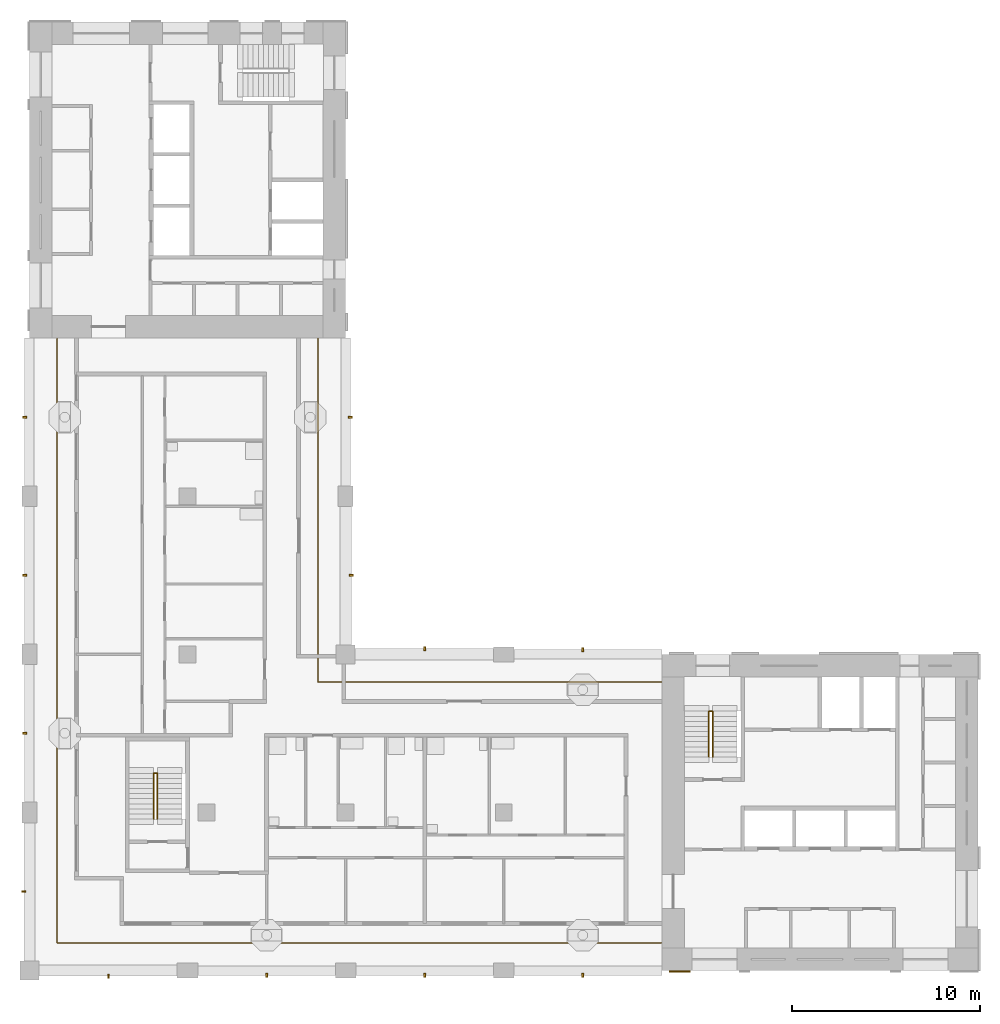
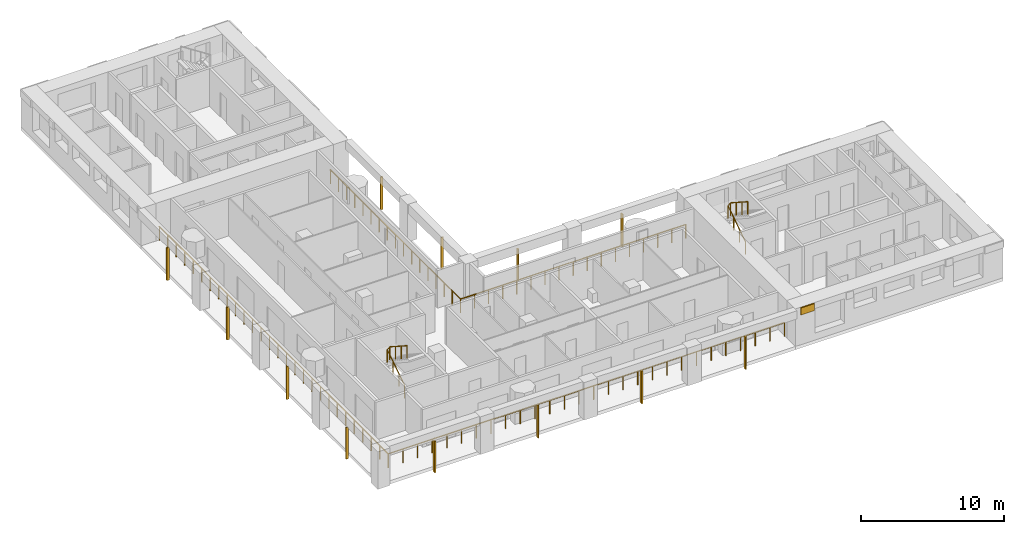
# One storey, part 8 of 12: 13 shading devices, 4 railings.
"""IFC4 building model written with IfcOpenShell, lengths in metres."""

from ifc_helpers import new_model, si_unit, direction, frame, origin, origin_2d, place, context, subcontext, project, spatial, rectangle, circle, extrude, material, layer, layer_set, material_profile, profile_set, type_object, element, save


model = new_model("IFC4")

# Units and contexts
model_context = context("Model", 3, precision=1e-05, world=origin(), true_north=direction((0.0, 1.0)))
body_context = subcontext(model_context, "Body", "Model", "MODEL_VIEW")
ifc_project = project(units=[si_unit("LENGTHUNIT", "METRE"), si_unit("AREAUNIT", "SQUARE_METRE"), si_unit("VOLUMEUNIT", "CUBIC_METRE"), si_unit("PLANEANGLEUNIT", "RADIAN"), si_unit("MASSUNIT", "GRAM", prefix="KILO")], contexts=[model_context])

# Site, building, storey
site_placement = place(None, origin())
site = spatial("IfcSite", under=ifc_project, at=site_placement, CompositionType="ELEMENT")
building_placement = place(site_placement, origin())
building = spatial("IfcBuilding", under=site, at=building_placement, Name="Vermilion Gate Residences", CompositionType="ELEMENT")
storey_placement = place(building_placement, frame((0.0, 0.0, 242.199951171875)))
storey = spatial("IfcBuildingStorey", under=building, at=storey_placement, Name="L63", CompositionType="ELEMENT", Elevation=242.199951171875)

# Railings
ifc_material_1 = material(Name="Stainless steel and toughened glass", Category="steel")
railing_type_1 = type_object("IfcRailingType", Name="LOGGIA GUARD STEEL AND GLASS 1200", PredefinedType="GUARDRAIL", material=ifc_material_1)
railing_1_placement = place(storey_placement, frame((41.97802734375, 23.72509765625, 0.0)))
element("IfcRailing", 1, at=railing_1_placement, inside=storey, type_object=railing_type_1, Name="Loggia guard", PredefinedType="GUARDRAIL", context=body_context, shape_type="SweptSolid", body=[
    extrude(circle(Radius=0.030029296875, at=origin_2d()), frame((0.0, 0.0, 1.169921875), z_axis=(-1.0, 0.0, 0.0), x_axis=(0.0, -1.0, 0.0)), (0.0, 0.0, 1.0), 18.2529296875),
    extrude(circle(Radius=0.030029296875, at=origin_2d()), frame((-18.2529296875, 0.0, 1.169921875), z_axis=(0.0, 1.0, 0.0), x_axis=(-1.0, 0.0, 0.0)), (0.0, 0.0, 1.0), 18.2529296875),
    extrude(circle(Radius=0.02490234375, at=origin_2d()), origin(), (0.0, 0.0, 1.0), 1.139892578125),
    extrude(circle(Radius=0.02490234375, at=origin_2d()), frame((-1.140869140625, 0.0, 0.0)), (0.0, 0.0, 1.0), 1.139892578125),
    extrude(circle(Radius=0.02490234375, at=origin_2d()), frame((-2.28173828125, 0.0, 0.0)), (0.0, 0.0, 1.0), 1.139892578125),
    extrude(circle(Radius=0.02490234375, at=origin_2d()), frame((-3.42236328125, 0.0, 0.0)), (0.0, 0.0, 1.0), 1.139892578125),
    extrude(circle(Radius=0.02490234375, at=origin_2d()), frame((-4.563232421875, 0.0, 0.0)), (0.0, 0.0, 1.0), 1.139892578125),
    extrude(circle(Radius=0.02490234375, at=origin_2d()), frame((-5.7041015625, 0.0, 0.0)), (0.0, 0.0, 1.0), 1.139892578125),
    extrude(circle(Radius=0.02490234375, at=origin_2d()), frame((-6.8447265625, 0.0, 0.0)), (0.0, 0.0, 1.0), 1.139892578125),
    extrude(circle(Radius=0.02490234375, at=origin_2d()), frame((-7.985595703125, 0.0, 0.0)), (0.0, 0.0, 1.0), 1.139892578125),
    extrude(circle(Radius=0.02490234375, at=origin_2d()), frame((-9.12646484375, 0.0, 0.0)), (0.0, 0.0, 1.0), 1.139892578125),
    extrude(circle(Radius=0.02490234375, at=origin_2d()), frame((-10.267333984375, 0.0, 0.0)), (0.0, 0.0, 1.0), 1.139892578125),
    extrude(circle(Radius=0.02490234375, at=origin_2d()), frame((-11.408203125, 0.0, 0.0)), (0.0, 0.0, 1.0), 1.139892578125),
    extrude(circle(Radius=0.02490234375, at=origin_2d()), frame((-12.548828125, 0.0, 0.0)), (0.0, 0.0, 1.0), 1.139892578125),
    extrude(circle(Radius=0.02490234375, at=origin_2d()), frame((-13.689697265625, 0.0, 0.0)), (0.0, 0.0, 1.0), 1.139892578125),
    extrude(circle(Radius=0.02490234375, at=origin_2d()), frame((-14.83056640625, 0.0, 0.0)), (0.0, 0.0, 1.0), 1.139892578125),
    extrude(circle(Radius=0.02490234375, at=origin_2d()), frame((-15.97119140625, 0.0, 0.0)), (0.0, 0.0, 1.0), 1.139892578125),
    extrude(circle(Radius=0.02490234375, at=origin_2d()), frame((-17.112060546875, 0.0, 0.0)), (0.0, 0.0, 1.0), 1.139892578125),
    extrude(circle(Radius=0.02490234375, at=origin_2d()), frame((-18.2529296875, 0.0, 0.0)), (0.0, 0.0, 1.0), 1.139892578125),
    extrude(circle(Radius=0.02490234375, at=origin_2d()), frame((-18.2529296875, 1.140869140625, 0.0)), (0.0, 0.0, 1.0), 1.139892578125),
    extrude(circle(Radius=0.02490234375, at=origin_2d()), frame((-18.2529296875, 2.28173828125, 0.0)), (0.0, 0.0, 1.0), 1.139892578125),
    extrude(circle(Radius=0.02490234375, at=origin_2d()), frame((-18.2529296875, 3.42236328125, 0.0)), (0.0, 0.0, 1.0), 1.139892578125),
    extrude(circle(Radius=0.02490234375, at=origin_2d()), frame((-18.2529296875, 4.563232421875, 0.0)), (0.0, 0.0, 1.0), 1.139892578125),
    extrude(circle(Radius=0.02490234375, at=origin_2d()), frame((-18.2529296875, 5.7041015625, 0.0)), (0.0, 0.0, 1.0), 1.139892578125),
    extrude(circle(Radius=0.02490234375, at=origin_2d()), frame((-18.2529296875, 6.8447265625, 0.0)), (0.0, 0.0, 1.0), 1.139892578125),
    extrude(circle(Radius=0.02490234375, at=origin_2d()), frame((-18.2529296875, 7.985595703125, 0.0)), (0.0, 0.0, 1.0), 1.139892578125),
    extrude(circle(Radius=0.02490234375, at=origin_2d()), frame((-18.2529296875, 9.12646484375, 0.0)), (0.0, 0.0, 1.0), 1.139892578125),
    extrude(circle(Radius=0.02490234375, at=origin_2d()), frame((-18.2529296875, 10.267333984375, 0.0)), (0.0, 0.0, 1.0), 1.139892578125),
    extrude(circle(Radius=0.02490234375, at=origin_2d()), frame((-18.2529296875, 11.408203125, 0.0)), (0.0, 0.0, 1.0), 1.139892578125),
    extrude(circle(Radius=0.02490234375, at=origin_2d()), frame((-18.2529296875, 12.548828125, 0.0)), (0.0, 0.0, 1.0), 1.139892578125),
    extrude(circle(Radius=0.02490234375, at=origin_2d()), frame((-18.2529296875, 13.689697265625, 0.0)), (0.0, 0.0, 1.0), 1.139892578125),
    extrude(circle(Radius=0.02490234375, at=origin_2d()), frame((-18.2529296875, 14.83056640625, 0.0)), (0.0, 0.0, 1.0), 1.139892578125),
    extrude(circle(Radius=0.02490234375, at=origin_2d()), frame((-18.2529296875, 15.97119140625, 0.0)), (0.0, 0.0, 1.0), 1.139892578125),
    extrude(circle(Radius=0.02490234375, at=origin_2d()), frame((-18.2529296875, 17.112060546875, 0.0)), (0.0, 0.0, 1.0), 1.139892578125),
    extrude(circle(Radius=0.02490234375, at=origin_2d()), frame((-18.2529296875, 18.2529296875, 0.0)), (0.0, 0.0, 1.0), 1.139892578125),
])
railing_2_placement = place(storey_placement, frame((9.875, 41.97802734375, 0.0)))
element("IfcRailing", 2, at=railing_2_placement, inside=storey, type_object=railing_type_1, Name="Loggia guard", PredefinedType="GUARDRAIL", context=body_context, shape_type="SweptSolid", body=[
    extrude(circle(Radius=0.030029296875, at=origin_2d()), frame((0.0, 0.0, 1.169921875), z_axis=(0.0, -1.0, 0.0), x_axis=(1.0, 0.0, 0.0)), (0.0, 0.0, 1.0), 32.10302734375),
    extrude(circle(Radius=0.030029296875, at=origin_2d()), frame((0.0, -32.10302734375, 1.169921875), z_axis=(1.0, 0.0, 0.0), x_axis=(0.0, 1.0, 0.0)), (0.0, 0.0, 1.0), 32.10302734375),
    extrude(circle(Radius=0.02490234375, at=origin_2d()), origin(), (0.0, 0.0, 1.0), 1.139892578125),
    extrude(circle(Radius=0.02490234375, at=origin_2d()), frame((0.0, -1.18896484375, 0.0)), (0.0, 0.0, 1.0), 1.139892578125),
    extrude(circle(Radius=0.02490234375, at=origin_2d()), frame((0.0, -2.3779296875, 0.0)), (0.0, 0.0, 1.0), 1.139892578125),
    extrude(circle(Radius=0.02490234375, at=origin_2d()), frame((0.0, -3.56689453125, 0.0)), (0.0, 0.0, 1.0), 1.139892578125),
    extrude(circle(Radius=0.02490234375, at=origin_2d()), frame((0.0, -4.756103515625, 0.0)), (0.0, 0.0, 1.0), 1.139892578125),
    extrude(circle(Radius=0.02490234375, at=origin_2d()), frame((0.0, -5.945068359375, 0.0)), (0.0, 0.0, 1.0), 1.139892578125),
    extrude(circle(Radius=0.02490234375, at=origin_2d()), frame((0.0, -7.134033203125, 0.0)), (0.0, 0.0, 1.0), 1.139892578125),
    extrude(circle(Radius=0.02490234375, at=origin_2d()), frame((0.0, -8.322998046875, 0.0)), (0.0, 0.0, 1.0), 1.139892578125),
    extrude(circle(Radius=0.02490234375, at=origin_2d()), frame((0.0, -9.511962890625, 0.0)), (0.0, 0.0, 1.0), 1.139892578125),
    extrude(circle(Radius=0.02490234375, at=origin_2d()), frame((0.0, -10.700927734375, 0.0)), (0.0, 0.0, 1.0), 1.139892578125),
    extrude(circle(Radius=0.02490234375, at=origin_2d()), frame((0.0, -11.889892578125, 0.0)), (0.0, 0.0, 1.0), 1.139892578125),
    extrude(circle(Radius=0.02490234375, at=origin_2d()), frame((0.0, -13.0791015625, 0.0)), (0.0, 0.0, 1.0), 1.139892578125),
    extrude(circle(Radius=0.02490234375, at=origin_2d()), frame((0.0, -14.26806640625, 0.0)), (0.0, 0.0, 1.0), 1.139892578125),
    extrude(circle(Radius=0.02490234375, at=origin_2d()), frame((0.0, -15.45703125, 0.0)), (0.0, 0.0, 1.0), 1.139892578125),
    extrude(circle(Radius=0.02490234375, at=origin_2d()), frame((0.0, -16.64599609375, 0.0)), (0.0, 0.0, 1.0), 1.139892578125),
    extrude(circle(Radius=0.02490234375, at=origin_2d()), frame((0.0, -17.8349609375, 0.0)), (0.0, 0.0, 1.0), 1.139892578125),
    extrude(circle(Radius=0.02490234375, at=origin_2d()), frame((0.0, -19.02392578125, 0.0)), (0.0, 0.0, 1.0), 1.139892578125),
    extrude(circle(Radius=0.02490234375, at=origin_2d()), frame((0.0, -20.213134765625, 0.0)), (0.0, 0.0, 1.0), 1.139892578125),
    extrude(circle(Radius=0.02490234375, at=origin_2d()), frame((0.0, -21.402099609375, 0.0)), (0.0, 0.0, 1.0), 1.139892578125),
    extrude(circle(Radius=0.02490234375, at=origin_2d()), frame((0.0, -22.591064453125, 0.0)), (0.0, 0.0, 1.0), 1.139892578125),
    extrude(circle(Radius=0.02490234375, at=origin_2d()), frame((0.0, -23.780029296875, 0.0)), (0.0, 0.0, 1.0), 1.139892578125),
    extrude(circle(Radius=0.02490234375, at=origin_2d()), frame((0.0, -24.968994140625, 0.0)), (0.0, 0.0, 1.0), 1.139892578125),
    extrude(circle(Radius=0.02490234375, at=origin_2d()), frame((0.0, -26.157958984375, 0.0)), (0.0, 0.0, 1.0), 1.139892578125),
    extrude(circle(Radius=0.02490234375, at=origin_2d()), frame((0.0, -27.346923828125, 0.0)), (0.0, 0.0, 1.0), 1.139892578125),
    extrude(circle(Radius=0.02490234375, at=origin_2d()), frame((0.0, -28.5361328125, 0.0)), (0.0, 0.0, 1.0), 1.139892578125),
    extrude(circle(Radius=0.02490234375, at=origin_2d()), frame((0.0, -29.72509765625, 0.0)), (0.0, 0.0, 1.0), 1.139892578125),
    extrude(circle(Radius=0.02490234375, at=origin_2d()), frame((0.0, -30.9140625, 0.0)), (0.0, 0.0, 1.0), 1.139892578125),
    extrude(circle(Radius=0.02490234375, at=origin_2d()), frame((0.0, -32.10302734375, 0.0)), (0.0, 0.0, 1.0), 1.139892578125),
    extrude(circle(Radius=0.02490234375, at=origin_2d()), frame((1.18896484375, -32.10302734375, 0.0)), (0.0, 0.0, 1.0), 1.139892578125),
    extrude(circle(Radius=0.02490234375, at=origin_2d()), frame((2.3779296875, -32.10302734375, 0.0)), (0.0, 0.0, 1.0), 1.139892578125),
    extrude(circle(Radius=0.02490234375, at=origin_2d()), frame((3.56689453125, -32.10302734375, 0.0)), (0.0, 0.0, 1.0), 1.139892578125),
    extrude(circle(Radius=0.02490234375, at=origin_2d()), frame((4.756103515625, -32.10302734375, 0.0)), (0.0, 0.0, 1.0), 1.139892578125),
    extrude(circle(Radius=0.02490234375, at=origin_2d()), frame((5.945068359375, -32.10302734375, 0.0)), (0.0, 0.0, 1.0), 1.139892578125),
    extrude(circle(Radius=0.02490234375, at=origin_2d()), frame((7.134033203125, -32.10302734375, 0.0)), (0.0, 0.0, 1.0), 1.139892578125),
    extrude(circle(Radius=0.02490234375, at=origin_2d()), frame((8.322998046875, -32.10302734375, 0.0)), (0.0, 0.0, 1.0), 1.139892578125),
    extrude(circle(Radius=0.02490234375, at=origin_2d()), frame((9.511962890625, -32.10302734375, 0.0)), (0.0, 0.0, 1.0), 1.139892578125),
    extrude(circle(Radius=0.02490234375, at=origin_2d()), frame((10.700927734375, -32.10302734375, 0.0)), (0.0, 0.0, 1.0), 1.139892578125),
    extrude(circle(Radius=0.02490234375, at=origin_2d()), frame((11.889892578125, -32.10302734375, 0.0)), (0.0, 0.0, 1.0), 1.139892578125),
    extrude(circle(Radius=0.02490234375, at=origin_2d()), frame((13.0791015625, -32.10302734375, 0.0)), (0.0, 0.0, 1.0), 1.139892578125),
    extrude(circle(Radius=0.02490234375, at=origin_2d()), frame((14.26806640625, -32.10302734375, 0.0)), (0.0, 0.0, 1.0), 1.139892578125),
    extrude(circle(Radius=0.02490234375, at=origin_2d()), frame((15.45703125, -32.10302734375, 0.0)), (0.0, 0.0, 1.0), 1.139892578125),
    extrude(circle(Radius=0.02490234375, at=origin_2d()), frame((16.64599609375, -32.10302734375, 0.0)), (0.0, 0.0, 1.0), 1.139892578125),
    extrude(circle(Radius=0.02490234375, at=origin_2d()), frame((17.8349609375, -32.10302734375, 0.0)), (0.0, 0.0, 1.0), 1.139892578125),
    extrude(circle(Radius=0.02490234375, at=origin_2d()), frame((19.02392578125, -32.10302734375, 0.0)), (0.0, 0.0, 1.0), 1.139892578125),
    extrude(circle(Radius=0.02490234375, at=origin_2d()), frame((20.213134765625, -32.10302734375, 0.0)), (0.0, 0.0, 1.0), 1.139892578125),
    extrude(circle(Radius=0.02490234375, at=origin_2d()), frame((21.402099609375, -32.10302734375, 0.0)), (0.0, 0.0, 1.0), 1.139892578125),
    extrude(circle(Radius=0.02490234375, at=origin_2d()), frame((22.591064453125, -32.10302734375, 0.0)), (0.0, 0.0, 1.0), 1.139892578125),
    extrude(circle(Radius=0.02490234375, at=origin_2d()), frame((23.780029296875, -32.10302734375, 0.0)), (0.0, 0.0, 1.0), 1.139892578125),
    extrude(circle(Radius=0.02490234375, at=origin_2d()), frame((24.968994140625, -32.10302734375, 0.0)), (0.0, 0.0, 1.0), 1.139892578125),
    extrude(circle(Radius=0.02490234375, at=origin_2d()), frame((26.157958984375, -32.10302734375, 0.0)), (0.0, 0.0, 1.0), 1.139892578125),
    extrude(circle(Radius=0.02490234375, at=origin_2d()), frame((27.346923828125, -32.10302734375, 0.0)), (0.0, 0.0, 1.0), 1.139892578125),
    extrude(circle(Radius=0.02490234375, at=origin_2d()), frame((28.5361328125, -32.10302734375, 0.0)), (0.0, 0.0, 1.0), 1.139892578125),
    extrude(circle(Radius=0.02490234375, at=origin_2d()), frame((29.72509765625, -32.10302734375, 0.0)), (0.0, 0.0, 1.0), 1.139892578125),
    extrude(circle(Radius=0.02490234375, at=origin_2d()), frame((30.9140625, -32.10302734375, 0.0)), (0.0, 0.0, 1.0), 1.139892578125),
    extrude(circle(Radius=0.02490234375, at=origin_2d()), frame((32.10302734375, -32.10302734375, 0.0)), (0.0, 0.0, 1.0), 1.139892578125),
])
ifc_material_2 = material(Name="Steel S355", Category="steel")
railing_type_2 = type_object("IfcRailingType", Name="STAIR GUARD 1100 STEEL", PredefinedType="GUARDRAIL", material=ifc_material_2)
for number, where, name in (
    (3, (44.5, 19.75, 0.175048828125), "Stair well guard STA1-63"),
    (4, (15.0, 16.449951171875, 0.175048828125), "Stair well guard STC1-63"),
):
    element("IfcRailing", number, at=place(storey_placement, frame(where)), inside=storey, type_object=railing_type_2, Name=name, PredefinedType="GUARDRAIL", context=body_context, shape_type="SweptSolid", body=[
        extrude(circle(Radius=0.02392578125, at=origin_2d()), frame((0.0, 0.0, 1.076171875), z_axis=(0.0, 0.839153699163, 0.543894354798), x_axis=(-1.0, 0.0, 0.0)), (0.0, 0.0, 1.0), 2.895751953125),
        extrude(circle(Radius=0.02392578125, at=origin_2d()), frame((0.0, 2.429931640625, 2.65087890625), z_axis=(0.752405939678, 0.0, 0.658699705433), x_axis=(0.0, 1.0, 0.0)), (0.0, 0.0, 1.0), 0.265869140625),
        extrude(circle(Radius=0.02392578125, at=origin_2d()), frame((0.199951171875, 2.429931640625, 2.826171875), z_axis=(0.0, -0.839153699163, 0.543894354798), x_axis=(1.0, 0.0, 0.0)), (0.0, 0.0, 1.0), 2.895751953125),
        extrude(circle(Radius=0.02099609375, at=origin_2d()), origin(), (0.0, 0.0, 1.0), 1.052001953125),
        extrude(circle(Radius=0.02099609375, at=origin_2d()), frame((0.0, 0.81005859375, 0.52490234375)), (0.0, 0.0, 1.0), 1.052001953125),
        extrude(circle(Radius=0.02099609375, at=origin_2d()), frame((0.0, 1.619873046875, 1.050048828125)), (0.0, 0.0, 1.0), 1.052001953125),
        extrude(circle(Radius=0.02099609375, at=origin_2d()), frame((0.0, 2.429931640625, 1.574951171875)), (0.0, 0.0, 1.0), 1.052001953125),
        extrude(circle(Radius=0.02099609375, at=origin_2d()), frame((0.199951171875, 2.429931640625, 1.75)), (0.0, 0.0, 1.0), 1.052001953125),
        extrude(circle(Radius=0.02099609375, at=origin_2d()), frame((0.199951171875, 1.619873046875, 2.27490234375)), (0.0, 0.0, 1.0), 1.052001953125),
        extrude(circle(Radius=0.02099609375, at=origin_2d()), frame((0.199951171875, 0.81005859375, 2.800048828125)), (0.0, 0.0, 1.0), 1.052001953125),
        extrude(circle(Radius=0.02099609375, at=origin_2d()), frame((0.199951171875, 0.0, 3.324951171875)), (0.0, 0.0, 1.0), 1.052001953125),
    ])

# Shading devices
ifc_material_3 = material(Name="Extruded terracotta", Category="masonry")
ifc_material_profile = material_profile(ifc_material_3, rectangle(XDim=0.199951171875, YDim=0.10009765625, at=origin_2d()), Name="BAGUETTE 100 X 200")
ifc_profile_set = profile_set([ifc_material_profile], Name="Extruded terracotta")
shading_device_type_1 = type_object("IfcShadingDeviceType", Name="TERRACOTTA BAGUETTE 100 X 200", PredefinedType="JALOUSIE", material=ifc_profile_set)
shading_device_1_placement = place(storey_placement, frame((12.60009765625, 8.10009765625, -0.280029296875), z_axis=(0.0, 0.0, 1.0), x_axis=(0.0, 1.0, 0.0)))
element("IfcShadingDevice", 5, at=shading_device_1_placement, inside=storey, type_object=shading_device_type_1, Name="BAGUETTE", PredefinedType="JALOUSIE", context=body_context, shape_type="SweptSolid", body=[
    extrude(rectangle(XDim=0.199951171875, YDim=0.10009765625, at=origin_2d()), origin(), (0.0, 0.0, 1.0), 2.7001953125),
])
for number, where, z_axis, x_axis, name in (
    (6, (21.0, 8.14990234375, -0.280029296875), (0.0, 0.0, 1.0), (0.0, 1.0, 0.0), "BAGUETTE"),
    (7, (29.39990234375, 8.14990234375, -0.280029296875), (0.0, 0.0, 1.0), (0.0, 1.0, 0.0), "BAGUETTE"),
    (8, (37.800048828125, 8.14990234375, -0.280029296875), (0.0, 0.0, 1.0), (0.0, 1.0, 0.0), "BAGUETTE"),
):
    element("IfcShadingDevice", number, at=place(storey_placement, frame(where, z_axis=z_axis, x_axis=x_axis)), inside=storey, type_object=shading_device_type_1, Name=name, PredefinedType="JALOUSIE", context=body_context, shape_type="SweptSolid", body=[
        extrude(rectangle(XDim=0.199951171875, YDim=0.10009765625, at=origin_2d()), origin(), (0.0, 0.0, 1.0), 2.800048828125),
    ])
shading_device_2_placement = place(storey_placement, frame((29.39990234375, 25.5, -0.280029296875), z_axis=(0.0, 0.0, 1.0), x_axis=(0.0, -1.0, 0.0)))
element("IfcShadingDevice", 9, at=shading_device_2_placement, inside=storey, type_object=shading_device_type_1, Name="BAGUETTE", PredefinedType="JALOUSIE", context=body_context, shape_type="SweptSolid", body=[
    extrude(rectangle(XDim=0.199951171875, YDim=0.10009765625, at=origin_2d()), origin(), (0.0, 0.0, 1.0), 2.7001953125),
])
shading_device_3_placement = place(storey_placement, frame((37.800048828125, 25.449951171875, -0.280029296875), z_axis=(0.0, 0.0, 1.0), x_axis=(0.0, -1.0, 0.0)))
element("IfcShadingDevice", 10, at=shading_device_3_placement, inside=storey, type_object=shading_device_type_1, Name="BAGUETTE", PredefinedType="JALOUSIE", context=body_context, shape_type="SweptSolid", body=[
    extrude(rectangle(XDim=0.199951171875, YDim=0.10009765625, at=origin_2d()), origin(), (0.0, 0.0, 1.0), 2.800048828125),
])
shading_device_4_placement = place(storey_placement, frame((25.5, 29.39990234375, -0.280029296875), z_axis=(0.0, 0.0, 1.0), x_axis=(-1.0, 0.0, 0.0)))
element("IfcShadingDevice", 11, at=shading_device_4_placement, inside=storey, type_object=shading_device_type_1, Name="BAGUETTE", PredefinedType="JALOUSIE", context=body_context, shape_type="SweptSolid", body=[
    extrude(rectangle(XDim=0.199951171875, YDim=0.10009765625, at=origin_2d()), origin(), (0.0, 0.0, 1.0), 2.7001953125),
])
shading_device_5_placement = place(storey_placement, frame((25.449951171875, 37.800048828125, -0.280029296875), z_axis=(0.0, 0.0, 1.0), x_axis=(-1.0, 0.0, 0.0)))
element("IfcShadingDevice", 12, at=shading_device_5_placement, inside=storey, type_object=shading_device_type_1, Name="BAGUETTE", PredefinedType="JALOUSIE", context=body_context, shape_type="SweptSolid", body=[
    extrude(rectangle(XDim=0.199951171875, YDim=0.10009765625, at=origin_2d()), origin(), (0.0, 0.0, 1.0), 2.800048828125),
])
shading_device_6_placement = place(storey_placement, frame((8.10009765625, 12.60009765625, -0.280029296875), z_axis=(0.0, 0.0, 1.0), x_axis=(1.0, 0.0, 0.0)))
element("IfcShadingDevice", 13, at=shading_device_6_placement, inside=storey, type_object=shading_device_type_1, Name="BAGUETTE", PredefinedType="JALOUSIE", context=body_context, shape_type="SweptSolid", body=[
    extrude(rectangle(XDim=0.199951171875, YDim=0.10009765625, at=origin_2d()), origin(), (0.0, 0.0, 1.0), 2.7001953125),
])
for number, where, z_axis, x_axis, name in (
    (14, (8.14990234375, 21.0, -0.280029296875), (0.0, 0.0, 1.0), (1.0, 0.0, 0.0), "BAGUETTE"),
    (15, (8.14990234375, 29.39990234375, -0.280029296875), (0.0, 0.0, 1.0), (1.0, 0.0, 0.0), "BAGUETTE"),
    (16, (8.14990234375, 37.800048828125, -0.280029296875), (0.0, 0.0, 1.0), (1.0, 0.0, 0.0), "BAGUETTE"),
):
    element("IfcShadingDevice", number, at=place(storey_placement, frame(where, z_axis=z_axis, x_axis=x_axis)), inside=storey, type_object=shading_device_type_1, Name=name, PredefinedType="JALOUSIE", context=body_context, shape_type="SweptSolid", body=[
        extrude(rectangle(XDim=0.199951171875, YDim=0.10009765625, at=origin_2d()), origin(), (0.0, 0.0, 1.0), 2.800048828125),
    ])
ifc_material_4 = material(Name="Extruded terracotta", Category="masonry")
ifc_layer = layer(ifc_material_4, 0.10009765625)
ifc_layer_set = layer_set([ifc_layer], Name="TERRACOTTA SPANDREL BAND 600 X 100")
shading_device_type_2 = type_object("IfcShadingDeviceType", Name="TERRACOTTA SPANDREL BAND 600 X 100", PredefinedType="USERDEFINED", material=ifc_layer_set)
shading_device_7_placement = place(storey_placement, frame((42.949951171875, 8.35009765625, 2.6201171875), z_axis=(0.0, 0.0, 1.0), x_axis=(1.0, 0.0, 0.0)))
element("IfcShadingDevice", 17, at=shading_device_7_placement, inside=storey, type_object=shading_device_type_2, Name="SPANDREL BAND", ObjectType="BAND", PredefinedType="USERDEFINED", context=body_context, shape_type="SweptSolid", body=[
    extrude(rectangle(XDim=1.10009765625, YDim=0.10009765625, at=origin_2d()), origin(), (0.0, 0.0, 1.0), 0.60009765625),
])

save(model, "model.ifc")
